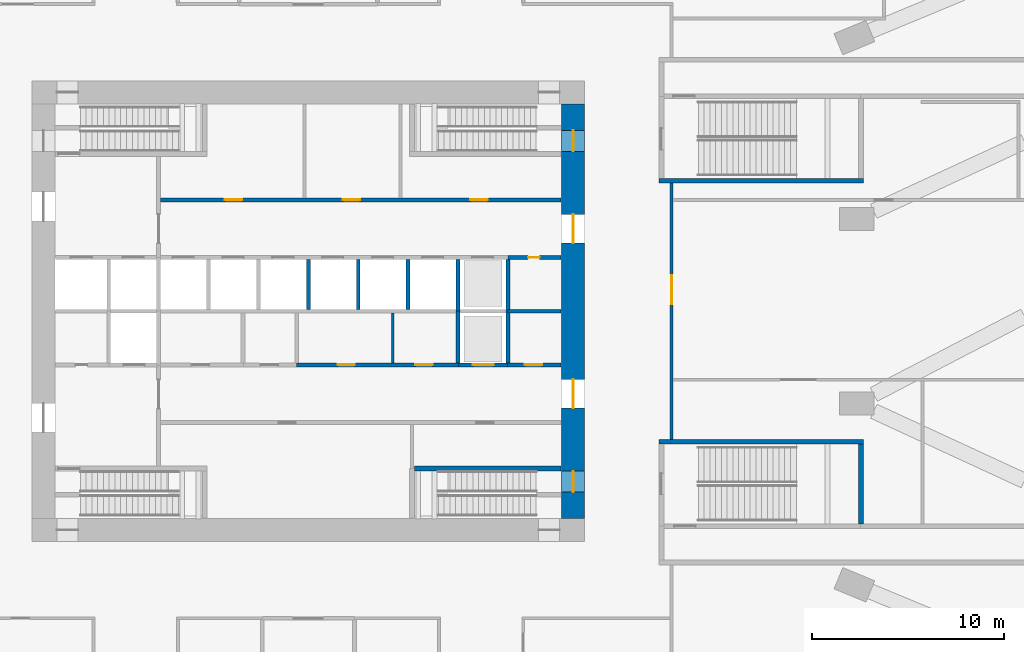
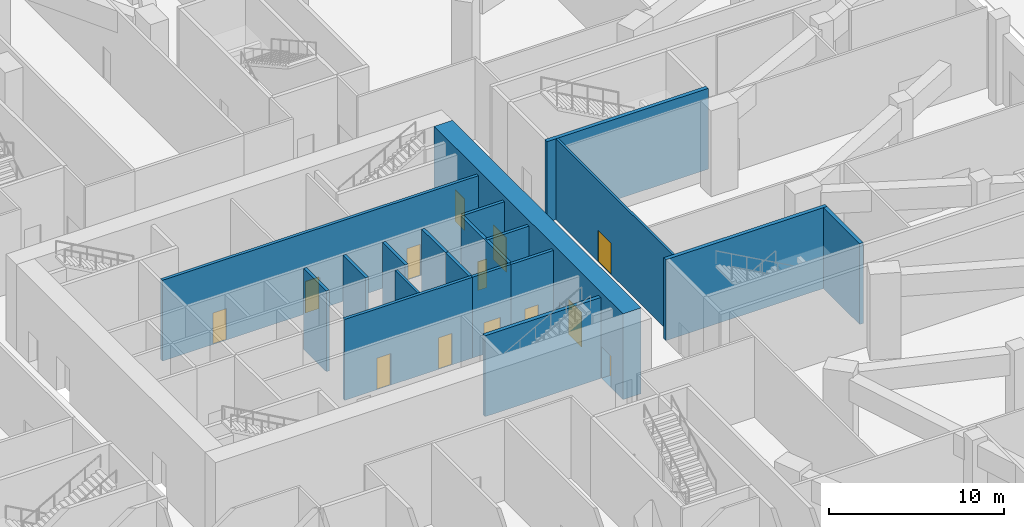
# One storey, part 24 of 36: 19 walls, 13 doors, 13 openings.
"""IFC4 building model written with IfcOpenShell, lengths in metres."""

import ifcopenshell
import ifcopenshell.guid

model = None  # the IFC model being written
_history = None  # IfcOwnerHistory: only IFC2X3 demands one
_inside = {}  # id of a spatial element -> (the spatial element, [elements in it])
_under = {}  # id of a project, library or spatial element -> (it, [spatial elements below it])
_declared = {}  # id of a project -> (the project, [libraries it declares])
_typed = {}  # id of a type object -> (the type object, [elements of that type])
_made_of = {}  # id of a material, layer set ... -> (it, [elements and type objects made of it])


def new_model(schema):
    """Start an empty IFC model of exactly this schema.

    Asked for "IFC4X3", IfcOpenShell would pick the latest addendum, in which some entities
    have other attributes; the version numbers below select the first issue.
    IFC2X3 requires an IfcOwnerHistory on every rooted entity: one is made here for all.
    """
    global model, _history
    if schema == "IFC4X3":
        model = ifcopenshell.file(schema_version=(4, 3, 0, 0))
    else:
        model = ifcopenshell.file(schema=schema)
    _inside.clear()
    _under.clear()
    _declared.clear()
    _typed.clear()
    _made_of.clear()
    _history = None
    if model.schema == "IFC2X3":
        org = make("IfcOrganization", Name="unknown")
        user = make(
            "IfcPersonAndOrganization",
            ThePerson=make("IfcPerson", FamilyName="unknown"),
            TheOrganization=org,
        )
        app = make(
            "IfcApplication",
            ApplicationDeveloper=org,
            Version="unknown",
            ApplicationFullName="unknown",
            ApplicationIdentifier="unknown",
        )
        _history = make(
            "IfcOwnerHistory",
            OwningUser=user,
            OwningApplication=app,
            ChangeAction="ADDED",
            CreationDate=0,
        )
    return model


def make(cls, **values):
    """One entity of the class cls with the attributes given. An attribute that is None is left unset."""
    return model.create_entity(
        cls, **{name: value for name, value in values.items() if value is not None}
    )


def rooted(cls, **values):
    """An entity with a GlobalId (a new one), such as an element, a storey or a relation."""
    return make(cls, GlobalId=ifcopenshell.guid.new(), OwnerHistory=_history, **values)


def si_unit(unit_type, name, prefix=None):
    """IfcSIUnit, for example si_unit("LENGTHUNIT", "METRE", prefix="MILLI")."""
    return make("IfcSIUnit", UnitType=unit_type, Prefix=prefix, Name=name)


def assignment(units):
    """IfcUnitAssignment: the units of a project."""
    return None if units is None else make("IfcUnitAssignment", Units=units)


def point(xyz):
    """IfcCartesianPoint."""
    return None if xyz is None else make("IfcCartesianPoint", Coordinates=xyz)


def direction(xyz):
    """IfcDirection."""
    return None if xyz is None else make("IfcDirection", DirectionRatios=xyz)


def frame(location, z_axis=None, x_axis=None):
    """IfcAxis2Placement3D, a coordinate frame: its origin and axes. An axis left out is left unset."""
    return make(
        "IfcAxis2Placement3D",
        Location=point(location),
        Axis=direction(z_axis),
        RefDirection=direction(x_axis),
    )


def frame_2d(location, x_axis=None):
    """IfcAxis2Placement2D, a coordinate frame in the plane: its origin and x axis."""
    return make(
        "IfcAxis2Placement2D", Location=point(location), RefDirection=direction(x_axis)
    )


def origin():
    """The frame at (0, 0, 0) with its axes left unset."""
    return frame((0.0, 0.0, 0.0))


def place(relative_to, where):
    """IfcLocalPlacement: puts the frame where relative to a parent placement (None: the world)."""
    return make(
        "IfcLocalPlacement", PlacementRelTo=relative_to, RelativePlacement=where
    )


def context(
    kind, dimensions, precision=None, world=None, true_north=None, identifier=None
):
    """IfcGeometricRepresentationContext, for example the 3D "Model" context."""
    return make(
        "IfcGeometricRepresentationContext",
        ContextIdentifier=identifier,
        ContextType=kind,
        CoordinateSpaceDimension=dimensions,
        Precision=precision,
        WorldCoordinateSystem=world,
        TrueNorth=true_north,
    )


def subcontext(parent, identifier, kind, view, scale=None):
    """IfcGeometricRepresentationSubContext, for example "Body" below "Model"."""
    return make(
        "IfcGeometricRepresentationSubContext",
        ContextIdentifier=identifier,
        ContextType=kind,
        ParentContext=parent,
        TargetScale=scale,
        TargetView=view,
    )


def project(units=None, contexts=None):
    """IfcProject with its units and contexts."""
    return rooted(
        "IfcProject",
        Name="project",
        RepresentationContexts=contexts,
        UnitsInContext=assignment(units),
    )


def spatial(cls, under=None, at=None, **own):
    """A site, building, storey or space (cls), placed at a placement, below another one or the project."""
    s = rooted(cls, ObjectPlacement=at, **own)
    if under is not None:
        _under.setdefault(under.id(), (under, []))[1].append(s)
    return s


def profile(cls, at=None, kind="AREA", **sizes):
    """A parametric profile (cls). Its sizes go by their IFC names, for example OverallWidth=200.0."""
    return make(cls, ProfileType=kind, Position=at, **sizes)


def rectangle(**sizes):
    """IfcRectangleProfileDef."""
    return profile("IfcRectangleProfileDef", **sizes)


def extrude(swept, where, along, depth):
    """IfcExtrudedAreaSolid: the profile swept, set in the frame where, extruded along a direction by depth."""
    return make(
        "IfcExtrudedAreaSolid",
        SweptArea=swept,
        Position=where,
        ExtrudedDirection=direction(along),
        Depth=depth,
    )


def shape(context_of_items, identifier, shape_type, items):
    """IfcShapeRepresentation: the items that make up one representation, for example the "Body"."""
    return make(
        "IfcShapeRepresentation",
        ContextOfItems=context_of_items,
        RepresentationIdentifier=identifier,
        RepresentationType=shape_type,
        Items=items,
    )


def material(Name=None, Category=None):
    """IfcMaterial."""
    return make("IfcMaterial", Name=Name, Category=Category)


def layer(
    of_material, thickness, ventilated=None, Name=None, Category=None, Priority=None
):
    """IfcMaterialLayer: one layer of a wall or slab, of a material (None: an air gap)."""
    return make(
        "IfcMaterialLayer",
        Material=of_material,
        LayerThickness=thickness,
        IsVentilated=ventilated,
        Name=Name,
        Category=Category,
        Priority=Priority,
    )


def layer_set(layers, Name=None):
    """IfcMaterialLayerSet."""
    return make("IfcMaterialLayerSet", MaterialLayers=layers, LayerSetName=Name)


def made_of(thing, what):
    """Note that an element or type object is made of a material, layer set ...; save() writes the relation."""
    if what is not None:
        _made_of.setdefault(what.id(), (what, []))[1].append(thing)
    return thing


def type_object(cls, material=None, **own):
    """A type object (cls), such as IfcWallType, which elements share."""
    return made_of(rooted(cls, **own), material)


def element(
    cls,
    number,
    at=None,
    inside=None,
    cuts=None,
    type_object=None,
    material=None,
    context=None,
    identifier="Body",
    shape_type=None,
    held_by="IfcProductDefinitionShape",
    body=None,
    shapes=None,
    **own,
):
    """One element of the class cls, such as IfcWall. Its Tag is "e" and its number.

    at: its placement. inside: the storey or other place that contains it. cuts: it is an
    opening in that element (IfcRelVoidsElement). A single representation is given by context,
    identifier, shape_type and body (its items); several are given by shapes. held_by: the class
    of the entity that holds the representations. save() writes the other relations.
    """
    e = rooted(cls, Tag="e%d" % number, ObjectPlacement=at, **own)
    if body is not None:
        shapes = [shape(context, identifier, shape_type, body)]
    if shapes is not None:
        e.Representation = make(held_by, Representations=shapes)
    if inside is not None:
        _inside.setdefault(inside.id(), (inside, []))[1].append(e)
    if cuts is not None:
        rooted(
            "IfcRelVoidsElement", RelatingBuildingElement=cuts, RelatedOpeningElement=e
        )
    if type_object is not None:
        _typed.setdefault(type_object.id(), (type_object, []))[1].append(e)
    return made_of(e, material)


def fill(opening, filler):
    """IfcRelFillsElement: the door or window that sits in an opening."""
    return rooted(
        "IfcRelFillsElement",
        RelatingOpeningElement=opening,
        RelatedBuildingElement=filler,
    )


def aggregate(whole, parts):
    """IfcRelAggregates: a whole, such as a stair, and the parts it consists of."""
    return rooted("IfcRelAggregates", RelatingObject=whole, RelatedObjects=parts)


def save(model, path):
    """Write the relations noted so far, then the file.

    IfcRelAggregates (storeys below a building ...), IfcRelContainedInSpatialStructure (elements
    in a storey), IfcRelDefinesByType, IfcRelAssociatesMaterial and IfcRelDeclares: one each for
    every whole, place, type object, material and project.
    """
    for whole, parts in _under.values():
        aggregate(whole, parts)
    for where, things in _inside.values():
        rooted(
            "IfcRelContainedInSpatialStructure",
            RelatedElements=things,
            RelatingStructure=where,
        )
    for kind, things in _typed.values():
        rooted("IfcRelDefinesByType", RelatedObjects=things, RelatingType=kind)
    for what, things in _made_of.values():
        rooted("IfcRelAssociatesMaterial", RelatedObjects=things, RelatingMaterial=what)
    for by, libraries in _declared.values():
        rooted("IfcRelDeclares", RelatingContext=by, RelatedDefinitions=libraries)
    model.write(path)


model = new_model("IFC4")

# Units and contexts
model_context = context("Model", 3, precision=1e-05, world=origin(), true_north=direction((0.0, 1.0)))
body_context = subcontext(model_context, "Body", "Model", "MODEL_VIEW")
ifc_project = project(units=[si_unit("LENGTHUNIT", "METRE"), si_unit("AREAUNIT", "SQUARE_METRE"), si_unit("VOLUMEUNIT", "CUBIC_METRE"), si_unit("PLANEANGLEUNIT", "RADIAN"), si_unit("MASSUNIT", "GRAM", prefix="KILO")], contexts=[model_context])

# Site, building, storey
site_placement = place(None, origin())
site = spatial("IfcSite", under=ifc_project, at=site_placement, CompositionType="ELEMENT")
building_placement = place(site_placement, origin())
building = spatial("IfcBuilding", under=site, at=building_placement, Name="Msitu Wima Residences", CompositionType="ELEMENT")
storey_placement = place(building_placement, origin())
storey = spatial("IfcBuildingStorey", under=building, at=storey_placement, Name="L00", CompositionType="ELEMENT", Elevation=0.0)

# Wall, openings, doors
ifc_material_1 = material(Name="Concrete C80/95", Category="concrete")
ifc_layer_1 = layer(ifc_material_1, 1.199951171875)
ifc_layer_set_1 = layer_set([ifc_layer_1], Name="Concrete C80/95")
wall_type_1 = type_object("IfcWallType", Name="Core wall CW1200 C80/95", PredefinedType="SHEAR", material=ifc_layer_set_1)
wall_1_placement = place(storey_placement, frame((13.800048828125, -10.800048828125, 0.0), z_axis=(0.0, 0.0, 1.0), x_axis=(0.0, 1.0, 0.0)))
wall_1 = element("IfcWall", 1, at=wall_1_placement, inside=storey, type_object=wall_type_1, Name="Core wall", PredefinedType="SHEAR", context=body_context, shape_type="SweptSolid", body=[
    extrude(rectangle(XDim=21.60009765625, YDim=1.199951171875, at=frame_2d((10.800048828125, 0.0))), origin(), (0.0, 0.0, 1.0), 6.0),
])
opening_1_placement = place(wall_1_placement, frame((14.35009765625, 0.0, 0.0)))
opening_1 = element("IfcOpeningElement", 2, at=opening_1_placement, cuts=wall_1, Name="Opening D00.092", PredefinedType="OPENING", context=body_context, shape_type="SweptSolid", body=[
    extrude(rectangle(XDim=1.5, YDim=2.39990234375, at=frame_2d((0.75, 1.199951171875))), frame((0.0, 0.60986328125, 0.0), z_axis=(0.0, -1.0, 0.0), x_axis=(1.0, 0.0, 0.0)), (0.0, 0.0, 1.0), 1.219970703125),
])
opening_2_placement = place(wall_1_placement, frame((5.75, 0.0, 0.0)))
opening_2 = element("IfcOpeningElement", 3, at=opening_2_placement, cuts=wall_1, Name="Opening D00.093", PredefinedType="OPENING", context=body_context, shape_type="SweptSolid", body=[
    extrude(rectangle(XDim=1.5, YDim=2.39990234375, at=frame_2d((0.75, 1.199951171875))), frame((0.0, 0.60986328125, 0.0), z_axis=(0.0, -1.0, 0.0), x_axis=(1.0, 0.0, 0.0)), (0.0, 0.0, 1.0), 1.219970703125),
])
opening_3_placement = place(wall_1_placement, frame((19.1298828125, 0.0, 0.0)))
opening_3 = element("IfcOpeningElement", 4, at=opening_3_placement, cuts=wall_1, Name="Opening D00.045", PredefinedType="OPENING", context=body_context, shape_type="SweptSolid", body=[
    extrude(rectangle(XDim=1.10009765625, YDim=2.199951171875, at=frame_2d((0.550048828125, 1.10009765625))), frame((0.0, 0.60986328125, 0.0), z_axis=(0.0, -1.0, 0.0), x_axis=(1.0, 0.0, 0.0)), (0.0, 0.0, 1.0), 1.219970703125),
])
opening_4_placement = place(wall_1_placement, frame((1.3701171875, 0.0, 0.0)))
opening_4 = element("IfcOpeningElement", 5, at=opening_4_placement, cuts=wall_1, Name="Opening D00.046", PredefinedType="OPENING", context=body_context, shape_type="SweptSolid", body=[
    extrude(rectangle(XDim=1.10009765625, YDim=2.199951171875, at=frame_2d((0.550048828125, 1.10009765625))), frame((0.0, 0.60986328125, 0.0), z_axis=(0.0, -1.0, 0.0), x_axis=(1.0, 0.0, 0.0)), (0.0, 0.0, 1.0), 1.219970703125),
])
ifc_material_2 = material(Name="Steel framed glazed door, fire resisting", Category="steel")
door_type_1 = type_object("IfcDoorType", Name="Lobby door D07 1500x2400", OperationType="DOUBLE_DOOR_SINGLE_SWING", PredefinedType="DOOR", material=ifc_material_2)
door_1_placement = place(opening_1_placement, origin())
door_1 = element("IfcDoor", 6, at=door_1_placement, inside=storey, type_object=door_type_1, Name="Lobby door", OperationType="DOUBLE_DOOR_SINGLE_SWING", OverallHeight=2.39990234375, OverallWidth=1.5, PredefinedType="DOOR", context=body_context, shape_type="SweptSolid", body=[
    extrude(rectangle(XDim=1.5, YDim=2.39990234375, at=frame_2d((0.75, 1.199951171875))), frame((0.0, 0.02490234375, 0.0), z_axis=(0.0, -1.0, 0.0), x_axis=(1.0, 0.0, 0.0)), (0.0, 0.0, 1.0), 0.050048828125),
])
fill(opening_1, door_1)
door_2_placement = place(opening_2_placement, origin())
door_2 = element("IfcDoor", 7, at=door_2_placement, inside=storey, type_object=door_type_1, Name="Lobby door", OperationType="DOUBLE_DOOR_SINGLE_SWING", OverallHeight=2.39990234375, OverallWidth=1.5, PredefinedType="DOOR", context=body_context, shape_type="SweptSolid", body=[
    extrude(rectangle(XDim=1.5, YDim=2.39990234375, at=frame_2d((0.75, 1.199951171875))), frame((0.0, 0.02490234375, 0.0), z_axis=(0.0, -1.0, 0.0), x_axis=(1.0, 0.0, 0.0)), (0.0, 0.0, 1.0), 0.050048828125),
])
fill(opening_2, door_2)
ifc_material_3 = material(Name="Steel door, fire resisting, panic bar", Category="steel")
door_type_2 = type_object("IfcDoorType", Name="Stair door D06 1100x2200", OperationType="SINGLE_SWING_LEFT", PredefinedType="DOOR", material=ifc_material_3)
door_3_placement = place(opening_3_placement, origin())
door_3 = element("IfcDoor", 8, at=door_3_placement, inside=storey, type_object=door_type_2, Name="Stair door", OperationType="SINGLE_SWING_LEFT", OverallHeight=2.199951171875, OverallWidth=1.10009765625, PredefinedType="DOOR", context=body_context, shape_type="SweptSolid", body=[
    extrude(rectangle(XDim=1.10009765625, YDim=2.199951171875, at=frame_2d((0.550048828125, 1.10009765625))), frame((0.0, 0.02490234375, 0.0), z_axis=(0.0, -1.0, 0.0), x_axis=(1.0, 0.0, 0.0)), (0.0, 0.0, 1.0), 0.050048828125),
])
fill(opening_3, door_3)
door_4_placement = place(opening_4_placement, origin())
door_4 = element("IfcDoor", 9, at=door_4_placement, inside=storey, type_object=door_type_2, Name="Stair door", OperationType="SINGLE_SWING_RIGHT", OverallHeight=2.199951171875, OverallWidth=1.10009765625, PredefinedType="DOOR", context=body_context, shape_type="SweptSolid", body=[
    extrude(rectangle(XDim=1.10009765625, YDim=2.199951171875, at=frame_2d((0.550048828125, 1.10009765625))), frame((0.0, 0.02490234375, 0.0), z_axis=(0.0, -1.0, 0.0), x_axis=(1.0, 0.0, 0.0)), (0.0, 0.0, 1.0), 0.050048828125),
])
fill(opening_4, door_4)

ifc_material_4 = material(Name="Plaster")
ifc_layer_2 = layer(ifc_material_4, 0.011962890625, Name="Plaster")
ifc_material_5 = material(Name="Concrete blockwork", Category="masonry")
ifc_layer_3 = layer(ifc_material_5, 0.176025390625, Name="Concrete blockwork")
ifc_layer_4 = layer(ifc_material_4, 0.011962890625, Name="Plaster")
ifc_layer_set_2 = layer_set([ifc_layer_2, ifc_layer_3, ifc_layer_4], Name="Concrete blockwork")
wall_type_2 = type_object("IfcWallType", Name="Corridor wall FW200", PredefinedType="PARTITIONING", material=ifc_layer_set_2)
wall_2_placement = place(storey_placement, frame((-7.699951171875, 5.800048828125, 0.0), z_axis=(0.0, 0.0, 1.0), x_axis=(1.0, 0.0, 0.0)))
wall_2 = element("IfcWall", 10, at=wall_2_placement, inside=storey, type_object=wall_type_2, Name="Corridor wall", PredefinedType="PARTITIONING", context=body_context, shape_type="SweptSolid", body=[
    extrude(rectangle(XDim=20.869873046875, YDim=0.199951171875, at=frame_2d((10.43505859375, 0.0))), origin(), (0.0, 0.0, 1.0), 5.64990234375),
])
opening_5_placement = place(wall_2_placement, frame((3.35009765625, 0.0, 0.0)))
opening_5 = element("IfcOpeningElement", 11, at=opening_5_placement, cuts=wall_2, Name="Opening D00.027", PredefinedType="OPENING", context=body_context, shape_type="SweptSolid", body=[
    extrude(rectangle(XDim=0.89990234375, YDim=2.199951171875, at=frame_2d((0.449951171875, 1.10009765625))), frame((0.0, 0.10986328125, 0.0), z_axis=(0.0, -1.0, 0.0), x_axis=(1.0, 0.0, 0.0)), (0.0, 0.0, 1.0), 0.219970703125),
])
opening_6_placement = place(wall_2_placement, frame((9.5, 0.0, 0.0)))
opening_6 = element("IfcOpeningElement", 12, at=opening_6_placement, cuts=wall_2, Name="Opening D00.028", PredefinedType="OPENING", context=body_context, shape_type="SweptSolid", body=[
    extrude(rectangle(XDim=0.89990234375, YDim=2.199951171875, at=frame_2d((0.449951171875, 1.10009765625))), frame((0.0, 0.10986328125, 0.0), z_axis=(0.0, -1.0, 0.0), x_axis=(1.0, 0.0, 0.0)), (0.0, 0.0, 1.0), 0.219970703125),
])
opening_7_placement = place(wall_2_placement, frame((16.14990234375, 0.0, 0.0)))
opening_7 = element("IfcOpeningElement", 13, at=opening_7_placement, cuts=wall_2, Name="Opening D00.029", PredefinedType="OPENING", context=body_context, shape_type="SweptSolid", body=[
    extrude(rectangle(XDim=0.89990234375, YDim=2.199951171875, at=frame_2d((0.449951171875, 1.10009765625))), frame((0.0, 0.10986328125, 0.0), z_axis=(0.0, -1.0, 0.0), x_axis=(1.0, 0.0, 0.0)), (0.0, 0.0, 1.0), 0.219970703125),
])
ifc_material_6 = material(Name="Timber flush door", Category="wood")
door_type_3 = type_object("IfcDoorType", Name="Service door D05 900x2200", OperationType="SINGLE_SWING_LEFT", PredefinedType="DOOR", material=ifc_material_6)
door_5_placement = place(opening_5_placement, origin())
door_5 = element("IfcDoor", 14, at=door_5_placement, inside=storey, type_object=door_type_3, Name="Service door", OperationType="SINGLE_SWING_LEFT", OverallHeight=2.199951171875, OverallWidth=0.89990234375, PredefinedType="DOOR", context=body_context, shape_type="SweptSolid", body=[
    extrude(rectangle(XDim=0.89990234375, YDim=2.199951171875, at=frame_2d((0.449951171875, 1.10009765625))), frame((0.0, 0.02490234375, 0.0), z_axis=(0.0, -1.0, 0.0), x_axis=(1.0, 0.0, 0.0)), (0.0, 0.0, 1.0), 0.050048828125),
])
fill(opening_5, door_5)
door_6_placement = place(opening_6_placement, origin())
door_6 = element("IfcDoor", 15, at=door_6_placement, inside=storey, type_object=door_type_3, Name="Service door", OperationType="SINGLE_SWING_LEFT", OverallHeight=2.199951171875, OverallWidth=0.89990234375, PredefinedType="DOOR", context=body_context, shape_type="SweptSolid", body=[
    extrude(rectangle(XDim=0.89990234375, YDim=2.199951171875, at=frame_2d((0.449951171875, 1.10009765625))), frame((0.0, 0.02490234375, 0.0), z_axis=(0.0, -1.0, 0.0), x_axis=(1.0, 0.0, 0.0)), (0.0, 0.0, 1.0), 0.050048828125),
])
fill(opening_6, door_6)
door_7_placement = place(opening_7_placement, origin())
door_7 = element("IfcDoor", 16, at=door_7_placement, inside=storey, type_object=door_type_3, Name="Service door", OperationType="SINGLE_SWING_RIGHT", OverallHeight=2.199951171875, OverallWidth=0.89990234375, PredefinedType="DOOR", context=body_context, shape_type="SweptSolid", body=[
    extrude(rectangle(XDim=0.89990234375, YDim=2.199951171875, at=frame_2d((0.449951171875, 1.10009765625))), frame((0.0, 0.02490234375, 0.0), z_axis=(0.0, -1.0, 0.0), x_axis=(1.0, 0.0, 0.0)), (0.0, 0.0, 1.0), 0.050048828125),
])
fill(opening_7, door_7)

wall_3_placement = place(storey_placement, frame((-0.6201171875, -2.800048828125, 0.0), z_axis=(0.0, 0.0, 1.0), x_axis=(1.0, 0.0, 0.0)))
wall_3 = element("IfcWall", 17, at=wall_3_placement, inside=storey, type_object=wall_type_2, Name="Corridor wall", PredefinedType="PARTITIONING", context=body_context, shape_type="SweptSolid", body=[
    extrude(rectangle(XDim=8.440185546875, YDim=0.199951171875, at=frame_2d((4.22021484375, 0.0))), origin(), (0.0, 0.0, 1.0), 5.64990234375),
])
opening_8_placement = place(wall_3_placement, frame((2.14990234375, 0.0, 0.0)))
opening_8 = element("IfcOpeningElement", 18, at=opening_8_placement, cuts=wall_3, Name="Opening D00.036", PredefinedType="OPENING", context=body_context, shape_type="SweptSolid", body=[
    extrude(rectangle(XDim=0.89990234375, YDim=2.199951171875, at=frame_2d((0.449951171875, 1.10009765625))), frame((0.0, 0.10986328125, 0.0), z_axis=(0.0, -1.0, 0.0), x_axis=(1.0, 0.0, 0.0)), (0.0, 0.0, 1.0), 0.219970703125),
])
opening_9_placement = place(wall_3_placement, frame((6.199951171875, 0.0, 0.0)))
opening_9 = element("IfcOpeningElement", 19, at=opening_9_placement, cuts=wall_3, Name="Opening D00.037", PredefinedType="OPENING", context=body_context, shape_type="SweptSolid", body=[
    extrude(rectangle(XDim=0.89990234375, YDim=2.199951171875, at=frame_2d((0.449951171875, 1.10009765625))), frame((0.0, 0.10986328125, 0.0), z_axis=(0.0, -1.0, 0.0), x_axis=(1.0, 0.0, 0.0)), (0.0, 0.0, 1.0), 0.219970703125),
])
door_8_placement = place(opening_8_placement, origin())
door_8 = element("IfcDoor", 20, at=door_8_placement, inside=storey, type_object=door_type_3, Name="Service door", OperationType="SINGLE_SWING_RIGHT", OverallHeight=2.199951171875, OverallWidth=0.89990234375, PredefinedType="DOOR", context=body_context, shape_type="SweptSolid", body=[
    extrude(rectangle(XDim=0.89990234375, YDim=2.199951171875, at=frame_2d((0.449951171875, 1.10009765625))), frame((0.0, 0.02490234375, 0.0), z_axis=(0.0, -1.0, 0.0), x_axis=(1.0, 0.0, 0.0)), (0.0, 0.0, 1.0), 0.050048828125),
])
fill(opening_8, door_8)
door_9_placement = place(opening_9_placement, origin())
door_9 = element("IfcDoor", 21, at=door_9_placement, inside=storey, type_object=door_type_3, Name="Service door", OperationType="SINGLE_SWING_LEFT", OverallHeight=2.199951171875, OverallWidth=0.89990234375, PredefinedType="DOOR", context=body_context, shape_type="SweptSolid", body=[
    extrude(rectangle(XDim=0.89990234375, YDim=2.199951171875, at=frame_2d((0.449951171875, 1.10009765625))), frame((0.0, 0.02490234375, 0.0), z_axis=(0.0, -1.0, 0.0), x_axis=(1.0, 0.0, 0.0)), (0.0, 0.0, 1.0), 0.050048828125),
])
fill(opening_9, door_9)

# Wall
ifc_layer_5 = layer(ifc_material_4, 0.011962890625, Name="Plaster")
ifc_layer_6 = layer(ifc_material_5, 0.1259765625, Name="Concrete blockwork")
ifc_layer_7 = layer(ifc_material_4, 0.011962890625, Name="Plaster")
ifc_layer_set_3 = layer_set([ifc_layer_5, ifc_layer_6, ifc_layer_7], Name="Concrete blockwork")
wall_type_3 = type_object("IfcWallType", Name="Partition PW150", PredefinedType="PARTITIONING", material=ifc_layer_set_3)
wall_4_placement = place(storey_placement, frame((4.39990234375, -2.699951171875, 0.0), z_axis=(0.0, 0.0, 1.0), x_axis=(0.0, 1.0, 0.0)))
element("IfcWall", 22, at=wall_4_placement, inside=storey, type_object=wall_type_3, Name="Partition", PredefinedType="PARTITIONING", context=body_context, shape_type="SweptSolid", body=[
    extrude(rectangle(XDim=2.599853515625, YDim=0.14990234375, at=frame_2d((1.2998046875, 0.0))), origin(), (0.0, 0.0, 1.0), 5.64990234375),
])

# Wall, opening, door
wall_5_placement = place(storey_placement, frame((18.927978515625, -6.675048828125, 0.0), z_axis=(0.0, 0.0, 1.0), x_axis=(0.0, 1.0, 0.0)))
wall_5 = element("IfcWall", 23, at=wall_5_placement, inside=storey, type_object=wall_type_3, Name="Partition", PredefinedType="PARTITIONING", context=body_context, shape_type="SweptSolid", body=[
    extrude(rectangle(XDim=13.35009765625, YDim=0.14990234375, at=frame_2d((6.675048828125, 0.0))), origin(), (0.0, 0.0, 1.0), 5.64990234375),
])
opening_10_placement = place(wall_5_placement, frame((7.050048828125, 0.0, 0.0)))
opening_10 = element("IfcOpeningElement", 24, at=opening_10_placement, cuts=wall_5, Name="Opening D00.048", PredefinedType="OPENING", context=body_context, shape_type="SweptSolid", body=[
    extrude(rectangle(XDim=1.5, YDim=2.199951171875, at=frame_2d((0.75, 1.10009765625))), frame((0.0, 0.0849609375, 0.0), z_axis=(0.0, -1.0, 0.0), x_axis=(1.0, 0.0, 0.0)), (0.0, 0.0, 1.0), 0.169921875),
])
ifc_material_7 = material(Name="Timber double door", Category="wood")
door_type_4 = type_object("IfcDoorType", Name="Double door D04 1500x2200", OperationType="DOUBLE_DOOR_SINGLE_SWING", PredefinedType="DOOR", material=ifc_material_7)
door_10_placement = place(opening_10_placement, origin())
door_10 = element("IfcDoor", 25, at=door_10_placement, inside=storey, type_object=door_type_4, Name="Double door", OperationType="DOUBLE_DOOR_SINGLE_SWING", OverallHeight=2.199951171875, OverallWidth=1.5, PredefinedType="DOOR", context=body_context, shape_type="SweptSolid", body=[
    extrude(rectangle(XDim=1.5, YDim=2.199951171875, at=frame_2d((0.75, 1.10009765625))), frame((0.0, 0.02490234375, 0.0), z_axis=(0.0, -1.0, 0.0), x_axis=(1.0, 0.0, 0.0)), (0.0, 0.0, 1.0), 0.050048828125),
])
fill(opening_10, door_10)

ifc_layer_8 = layer(ifc_material_4, 0.011962890625, Name="Plaster")
ifc_material_8 = material(Name="Reinforced concrete blockwork", Category="masonry")
ifc_layer_9 = layer(ifc_material_8, 0.176025390625, Name="Reinforced concrete blockwork")
ifc_layer_10 = layer(ifc_material_4, 0.011962890625, Name="Plaster")
ifc_layer_set_4 = layer_set([ifc_layer_8, ifc_layer_9, ifc_layer_10], Name="Reinforced concrete blockwork")
wall_type_4 = type_object("IfcWallType", Name="Plant and riser wall PL200", PredefinedType="PARTITIONING", material=ifc_layer_set_4)
wall_6_placement = place(storey_placement, frame((10.3798828125, -2.800048828125, 0.0), z_axis=(0.0, 0.0, 1.0), x_axis=(1.0, 0.0, 0.0)))
wall_6 = element("IfcWall", 26, at=wall_6_placement, inside=storey, type_object=wall_type_4, Name="Plant and riser wall", PredefinedType="PARTITIONING", context=body_context, shape_type="SweptSolid", body=[
    extrude(rectangle(XDim=2.7900390625, YDim=0.199951171875, at=frame_2d((1.39501953125, 0.0))), origin(), (0.0, 0.0, 1.0), 5.64990234375),
])
opening_11_placement = place(wall_6_placement, frame((0.89990234375, 0.0, 0.0)))
opening_11 = element("IfcOpeningElement", 27, at=opening_11_placement, cuts=wall_6, Name="Opening D00.024", PredefinedType="OPENING", context=body_context, shape_type="SweptSolid", body=[
    extrude(rectangle(XDim=0.89990234375, YDim=2.199951171875, at=frame_2d((0.449951171875, 1.10009765625))), frame((0.0, 0.10986328125, 0.0), z_axis=(0.0, -1.0, 0.0), x_axis=(1.0, 0.0, 0.0)), (0.0, 0.0, 1.0), 0.219970703125),
])
door_11_placement = place(opening_11_placement, origin())
door_11 = element("IfcDoor", 28, at=door_11_placement, inside=storey, type_object=door_type_3, Name="Service door", OperationType="SINGLE_SWING_LEFT", OverallHeight=2.199951171875, OverallWidth=0.89990234375, PredefinedType="DOOR", context=body_context, shape_type="SweptSolid", body=[
    extrude(rectangle(XDim=0.89990234375, YDim=2.199951171875, at=frame_2d((0.449951171875, 1.10009765625))), frame((0.0, 0.02490234375, 0.0), z_axis=(0.0, -1.0, 0.0), x_axis=(1.0, 0.0, 0.0)), (0.0, 0.0, 1.0), 0.050048828125),
])
fill(opening_11, door_11)

wall_7_placement = place(storey_placement, frame((10.39990234375, 2.800048828125, 0.0), z_axis=(0.0, 0.0, 1.0), x_axis=(1.0, 0.0, 0.0)))
wall_7 = element("IfcWall", 29, at=wall_7_placement, inside=storey, type_object=wall_type_4, Name="Plant and riser wall", PredefinedType="PARTITIONING", context=body_context, shape_type="SweptSolid", body=[
    extrude(rectangle(XDim=2.77001953125, YDim=0.199951171875, at=frame_2d((1.385009765625, 0.0))), origin(), (0.0, 0.0, 1.0), 5.64990234375),
])
opening_12_placement = place(wall_7_placement, frame((1.050048828125, 0.0, 0.0)))
opening_12 = element("IfcOpeningElement", 30, at=opening_12_placement, cuts=wall_7, Name="Opening D00.032", PredefinedType="OPENING", context=body_context, shape_type="SweptSolid", body=[
    extrude(rectangle(XDim=0.60009765625, YDim=2.0, at=frame_2d((0.300048828125, 1.0))), frame((0.0, 0.10986328125, 0.0), z_axis=(0.0, -1.0, 0.0), x_axis=(1.0, 0.0, 0.0)), (0.0, 0.0, 1.0), 0.219970703125),
])
ifc_material_9 = material(Name="Steel access door, fire resisting", Category="steel")
door_type_5 = type_object("IfcDoorType", Name="Riser access door D08 600x2000", OperationType="SINGLE_SWING_LEFT", PredefinedType="DOOR", material=ifc_material_9)
door_12_placement = place(opening_12_placement, origin())
door_12 = element("IfcDoor", 31, at=door_12_placement, inside=storey, type_object=door_type_5, Name="Riser access door", OperationType="SINGLE_SWING_RIGHT", OverallHeight=2.0, OverallWidth=0.60009765625, PredefinedType="DOOR", context=body_context, shape_type="SweptSolid", body=[
    extrude(rectangle(XDim=0.60009765625, YDim=2.0, at=frame_2d((0.300048828125, 1.0))), frame((0.0, 0.02490234375, 0.0), z_axis=(0.0, -1.0, 0.0), x_axis=(1.0, 0.0, 0.0)), (0.0, 0.0, 1.0), 0.050048828125),
])
fill(opening_12, door_12)

# Walls
wall_8_placement = place(storey_placement, frame((10.39990234375, 0.0, 0.0), z_axis=(0.0, 0.0, 1.0), x_axis=(1.0, 0.0, 0.0)))
element("IfcWall", 32, at=wall_8_placement, inside=storey, type_object=wall_type_4, Name="Plant and riser wall", PredefinedType="PARTITIONING", context=body_context, shape_type="SweptSolid", body=[
    extrude(rectangle(XDim=2.77001953125, YDim=0.199951171875, at=frame_2d((1.385009765625, 0.0))), origin(), (0.0, 0.0, 1.0), 5.64990234375),
])
ifc_material_10 = material(Name="Fire-rated board")
ifc_layer_11 = layer(ifc_material_10, 0.02490234375, Name="Fire-rated board")
ifc_material_11 = material(Name="Light-gauge stud framing with mineral wool")
ifc_layer_12 = layer(ifc_material_11, 0.14990234375, Name="Light-gauge stud framing with mineral wool")
ifc_layer_13 = layer(ifc_material_10, 0.02490234375, Name="Fire-rated board")
ifc_layer_set_5 = layer_set([ifc_layer_11, ifc_layer_12, ifc_layer_13], Name="Light-gauge stud framing with mineral wool")
wall_type_5 = type_object("IfcWallType", Name="Shaft wall SH200", PredefinedType="PARTITIONING", material=ifc_layer_set_5)
for number, where, z_axis, x_axis, name in (
    (33, (0.0, 0.10009765625, 0.0), (0.0, 0.0, 1.0), (0.0, 1.0, 0.0), "Shaft wall"),
    (34, (2.60009765625, 0.10009765625, 0.0), (0.0, 0.0, 1.0), (0.0, 1.0, 0.0), "Shaft wall"),
    (35, (5.199951171875, 0.10009765625, 0.0), (0.0, 0.0, 1.0), (0.0, 1.0, 0.0), "Shaft wall"),
):
    element("IfcWall", number, at=place(storey_placement, frame(where, z_axis=z_axis, x_axis=x_axis)), inside=storey, type_object=wall_type_5, Name=name, PredefinedType="PARTITIONING", context=body_context, shape_type="SweptSolid", body=[
        extrude(rectangle(XDim=2.599853515625, YDim=0.199951171875, at=frame_2d((1.2998046875, 0.0))), origin(), (0.0, 0.0, 1.0), 5.64990234375),
    ])
wall_9_placement = place(storey_placement, frame((7.800048828125, -2.699951171875, 0.0), z_axis=(0.0, 0.0, 1.0), x_axis=(0.0, 1.0, 0.0)))
element("IfcWall", 36, at=wall_9_placement, inside=storey, type_object=wall_type_5, Name="Shaft wall", PredefinedType="PARTITIONING", context=body_context, shape_type="SweptSolid", body=[
    extrude(rectangle(XDim=2.699951171875, YDim=0.199951171875, at=frame_2d((1.35009765625, 0.0))), origin(), (0.0, 0.0, 1.0), 5.64990234375),
])

# Wall, opening, door
wall_10_placement = place(storey_placement, frame((7.820068359375, -2.800048828125, 0.0), z_axis=(0.0, 0.0, 1.0), x_axis=(1.0, 0.0, 0.0)))
wall_10 = element("IfcWall", 37, at=wall_10_placement, inside=storey, type_object=wall_type_5, Name="Shaft wall", PredefinedType="PARTITIONING", context=body_context, shape_type="SweptSolid", body=[
    extrude(rectangle(XDim=2.559814453125, YDim=0.199951171875, at=frame_2d((1.27978515625, 0.0))), origin(), (0.0, 0.0, 1.0), 5.64990234375),
])
opening_13_placement = place(wall_10_placement, frame((0.75, 0.0, 0.0)))
opening_13 = element("IfcOpeningElement", 38, at=opening_13_placement, cuts=wall_10, Name="Opening LD", PredefinedType="OPENING", context=body_context, shape_type="SweptSolid", body=[
    extrude(rectangle(XDim=1.10009765625, YDim=2.199951171875, at=frame_2d((0.550048828125, 1.10009765625))), frame((0.0, 0.10986328125, 0.0), z_axis=(0.0, -1.0, 0.0), x_axis=(1.0, 0.0, 0.0)), (0.0, 0.0, 1.0), 0.219970703125),
])
ifc_material_12 = material(Name="Stainless steel centre-opening landing door, rated", Category="steel")
door_type_6 = type_object("IfcDoorType", Name="Lift landing door LD 1100x2200", OperationType="DOUBLE_DOOR_SLIDING", PredefinedType="DOOR", material=ifc_material_12)
door_13_placement = place(opening_13_placement, origin())
door_13 = element("IfcDoor", 39, at=door_13_placement, inside=storey, type_object=door_type_6, Name="Lift landing door LD17", OperationType="DOUBLE_DOOR_SLIDING", OverallHeight=2.199951171875, OverallWidth=1.10009765625, PredefinedType="DOOR", context=body_context, shape_type="SweptSolid", body=[
    extrude(rectangle(XDim=1.10009765625, YDim=2.199951171875, at=frame_2d((0.550048828125, 1.10009765625))), frame((0.0, 0.02490234375, 0.0), z_axis=(0.0, -1.0, 0.0), x_axis=(1.0, 0.0, 0.0)), (0.0, 0.0, 1.0), 0.050048828125),
])
fill(opening_13, door_13)

# Walls
wall_11_placement = place(storey_placement, frame((7.800048828125, 0.0, 0.0), z_axis=(0.0, 0.0, 1.0), x_axis=(0.0, 1.0, 0.0)))
element("IfcWall", 40, at=wall_11_placement, inside=storey, type_object=wall_type_5, Name="Shaft wall", PredefinedType="PARTITIONING", context=body_context, shape_type="SweptSolid", body=[
    extrude(rectangle(XDim=2.699951171875, YDim=0.199951171875, at=frame_2d((1.35009765625, 0.0))), origin(), (0.0, 0.0, 1.0), 5.64990234375),
])
wall_12_placement = place(storey_placement, frame((10.39990234375, -2.699951171875, 0.0), z_axis=(0.0, 0.0, 1.0), x_axis=(0.0, 1.0, 0.0)))
element("IfcWall", 41, at=wall_12_placement, inside=storey, type_object=wall_type_5, Name="Shaft wall", PredefinedType="PARTITIONING", context=body_context, shape_type="SweptSolid", body=[
    extrude(rectangle(XDim=5.39990234375, YDim=0.199951171875, at=frame_2d((2.699951171875, 0.0))), origin(), (0.0, 0.0, 1.0), 5.64990234375),
])
ifc_material_13 = material(Name="Concrete C50/60", Category="concrete")
ifc_layer_14 = layer(ifc_material_13, 0.25)
ifc_layer_set_6 = layer_set([ifc_layer_14], Name="Concrete C50/60")
wall_type_6 = type_object("IfcWallType", Name="Stair enclosure wall SW250", PredefinedType="SHEAR", material=ifc_layer_set_6)
wall_13_placement = place(storey_placement, frame((5.52490234375, -8.199951171875, 0.0), z_axis=(0.0, 0.0, 1.0), x_axis=(1.0, 0.0, 0.0)))
element("IfcWall", 42, at=wall_13_placement, inside=storey, type_object=wall_type_6, Name="Stair enclosure wall", PredefinedType="SHEAR", context=body_context, shape_type="SweptSolid", body=[
    extrude(rectangle(XDim=7.64501953125, YDim=0.25, at=frame_2d((3.822509765625, 0.0))), origin(), (0.0, 0.0, 1.0), 5.64990234375),
])
for number, where, z_axis, x_axis, name in (
    (43, (18.27490234375, -6.800048828125, 0.0), (0.0, 0.0, 1.0), (1.0, 0.0, 0.0), "Stair enclosure wall"),
    (44, (18.27490234375, 6.800048828125, 0.0), (0.0, 0.0, 1.0), (1.0, 0.0, 0.0), "Stair enclosure wall"),
):
    element("IfcWall", number, at=place(storey_placement, frame(where, z_axis=z_axis, x_axis=x_axis)), inside=storey, type_object=wall_type_6, Name=name, PredefinedType="SHEAR", context=body_context, shape_type="SweptSolid", body=[
        extrude(rectangle(XDim=10.650146484375, YDim=0.25, at=frame_2d((5.3251953125, 0.0))), origin(), (0.0, 0.0, 1.0), 5.64990234375),
    ])
wall_14_placement = place(storey_placement, frame((28.800048828125, -11.074951171875, 0.0), z_axis=(0.0, 0.0, 1.0), x_axis=(0.0, 1.0, 0.0)))
element("IfcWall", 45, at=wall_14_placement, inside=storey, type_object=wall_type_6, Name="Stair enclosure wall", PredefinedType="SHEAR", context=body_context, shape_type="SweptSolid", body=[
    extrude(rectangle(XDim=4.14990234375, YDim=0.25, at=frame_2d((2.074951171875, 0.0))), origin(), (0.0, 0.0, 1.0), 5.64990234375),
])

save(model, "model.ifc")
